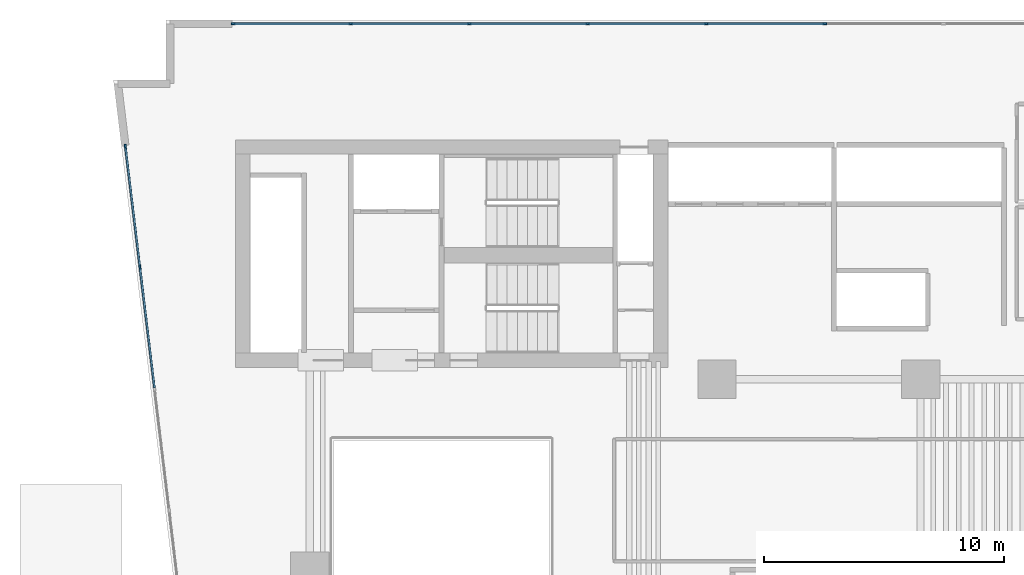
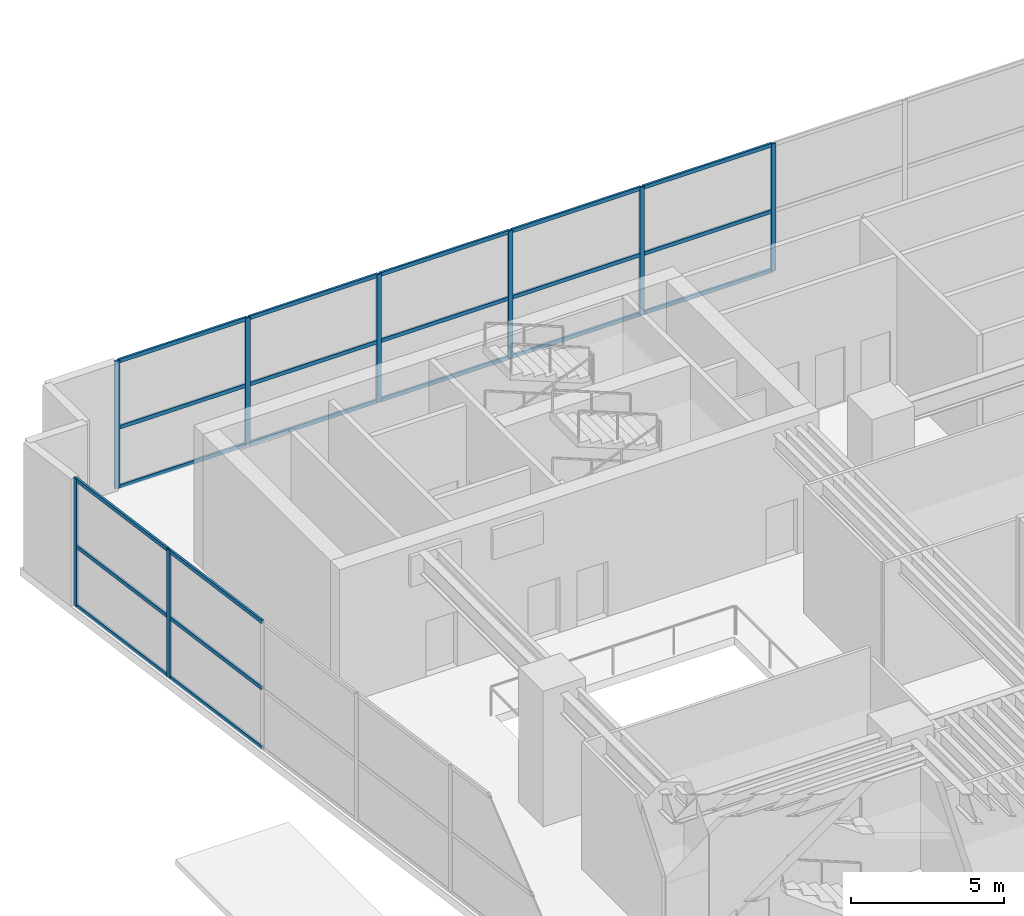
# One storey, part 6 of 17: 29 members, 2 elements without a shape of their own.
"""IFC4 building model written with IfcOpenShell, lengths in metres."""

from ifc_helpers import new_model, si_unit, direction, frame, origin, origin_2d, place, context, subcontext, project, spatial, rectangle, extrude, material, layer, layer_set, material_profile, profile_set, type_object, element, aggregate, save


model = new_model("IFC4")

# Units and contexts
model_context = context("Model", 3, precision=1e-05, world=origin(), true_north=direction((0.0, 1.0)))
body_context = subcontext(model_context, "Body", "Model", "MODEL_VIEW")
ifc_project = project(units=[si_unit("LENGTHUNIT", "METRE"), si_unit("AREAUNIT", "SQUARE_METRE"), si_unit("VOLUMEUNIT", "CUBIC_METRE"), si_unit("PLANEANGLEUNIT", "RADIAN"), si_unit("MASSUNIT", "GRAM", prefix="KILO")], contexts=[model_context])

# Site, building, storey
site_placement = place(None, origin())
site = spatial("IfcSite", under=ifc_project, at=site_placement, CompositionType="ELEMENT")
building_placement = place(site_placement, origin())
building = spatial("IfcBuilding", under=site, at=building_placement, Name="Caeloran Harvest Quay", CompositionType="ELEMENT")
storey_placement = place(building_placement, frame((0.0, 0.0, 5.39990234375)))
storey = spatial("IfcBuildingStorey", under=building, at=storey_placement, Name="L02", CompositionType="ELEMENT", Elevation=5.39990234375)

# Curtain wall, members
ifc_material_1 = material(Name="Aluminium 6063-T6 and Low-E Glazing", Category="aluminium")
ifc_layer = layer(ifc_material_1, 0.179931640625, Name="Aluminium 6063-T6 and Low-E Glazing")
ifc_layer_set = layer_set([ifc_layer], Name="Aluminium 6063-T6 and Low-E Glazing")
curtain_wall_type = type_object("IfcCurtainWallType", Name="CW-SYS-CW-1", PredefinedType="USERDEFINED", material=ifc_layer_set)
curtain_wall_1_placement = place(storey_placement, origin())
curtain_wall_1 = element("IfcCurtainWall", 1, at=curtain_wall_1_placement, inside=storey, type_object=curtain_wall_type, Name="L02 Unitised Curtain Wall CW-1 Run 3", ObjectType="CURTAIN_WALL", PredefinedType="USERDEFINED")
ifc_material_2 = material(Name="Aluminium 6063-T6", Category="aluminium")
ifc_material_profile_1 = material_profile(ifc_material_2, rectangle(XDim=0.080078125, YDim=0.179931640625, at=origin_2d()), Name="CW-MULLION-180")
ifc_profile_set_1 = profile_set([ifc_material_profile_1], Name="Aluminium 6063-T6")
member_type_1 = type_object("IfcMemberType", Name="CW-MULLION-180", PredefinedType="MULLION", material=ifc_profile_set_1)
member_1_placement = place(storey_placement, frame((1.404296875, 35.684814453125, 0.0), z_axis=(0.0, 0.0, 1.0), x_axis=(-0.992815161093, -0.119658079138, 0.0)))
member_1 = element("IfcMember", 2, at=member_1_placement, type_object=member_type_1, Name="CW-1 mullion 7", PredefinedType="MULLION", context=body_context, shape_type="SweptSolid", body=[
    extrude(rectangle(XDim=0.080078125, YDim=0.179931640625, at=origin_2d()), origin(), (0.0, 0.0, 1.0), 5.080078125),
])
member_2_placement = place(storey_placement, frame((0.797607421875, 40.718994140625, 0.0), z_axis=(0.0, 0.0, 1.0), x_axis=(-0.992815161093, -0.119658079138, 0.0)))
member_2 = element("IfcMember", 3, at=member_2_placement, type_object=member_type_1, Name="CW-1 mullion 8", PredefinedType="MULLION", context=body_context, shape_type="SweptSolid", body=[
    extrude(rectangle(XDim=0.080078125, YDim=0.179931640625, at=origin_2d()), origin(), (0.0, 0.0, 1.0), 5.080078125),
])

curtain_wall_2_placement = place(storey_placement, origin())
curtain_wall_2 = element("IfcCurtainWall", 4, at=curtain_wall_2_placement, inside=storey, type_object=curtain_wall_type, Name="L02 Unitised Curtain Wall CW-1 Run 6", ObjectType="CURTAIN_WALL", PredefinedType="USERDEFINED")
member_3_placement = place(storey_placement, frame((5.300048828125, 45.840087890625, 0.0), z_axis=(0.0, 0.0, 1.0), x_axis=(0.0, 1.0, 0.0)))
member_3 = element("IfcMember", 5, at=member_3_placement, type_object=member_type_1, Name="CW-1 mullion 1", PredefinedType="MULLION", context=body_context, shape_type="SweptSolid", body=[
    extrude(rectangle(XDim=0.080078125, YDim=0.179931640625, at=origin_2d()), origin(), (0.0, 0.0, 1.0), 5.080078125),
])
member_4_placement = place(storey_placement, frame((10.2080078125, 45.840087890625, 0.0), z_axis=(0.0, 0.0, 1.0), x_axis=(0.0, 1.0, 0.0)))
member_4 = element("IfcMember", 6, at=member_4_placement, type_object=member_type_1, Name="CW-1 mullion 2", PredefinedType="MULLION", context=body_context, shape_type="SweptSolid", body=[
    extrude(rectangle(XDim=0.080078125, YDim=0.179931640625, at=origin_2d()), origin(), (0.0, 0.0, 1.0), 5.080078125),
])
member_5_placement = place(storey_placement, frame((15.156005859375, 45.840087890625, 0.0), z_axis=(0.0, 0.0, 1.0), x_axis=(0.0, 1.0, 0.0)))
member_5 = element("IfcMember", 7, at=member_5_placement, type_object=member_type_1, Name="CW-1 mullion 3", PredefinedType="MULLION", context=body_context, shape_type="SweptSolid", body=[
    extrude(rectangle(XDim=0.080078125, YDim=0.179931640625, at=origin_2d()), origin(), (0.0, 0.0, 1.0), 5.080078125),
])
member_6_placement = place(storey_placement, frame((20.10400390625, 45.840087890625, 0.0), z_axis=(0.0, 0.0, 1.0), x_axis=(0.0, 1.0, 0.0)))
member_6 = element("IfcMember", 8, at=member_6_placement, type_object=member_type_1, Name="CW-1 mullion 4", PredefinedType="MULLION", context=body_context, shape_type="SweptSolid", body=[
    extrude(rectangle(XDim=0.080078125, YDim=0.179931640625, at=origin_2d()), origin(), (0.0, 0.0, 1.0), 5.080078125),
])
member_7_placement = place(storey_placement, frame((25.052001953125, 45.840087890625, 0.0), z_axis=(0.0, 0.0, 1.0), x_axis=(0.0, 1.0, 0.0)))
member_7 = element("IfcMember", 9, at=member_7_placement, type_object=member_type_1, Name="CW-1 mullion 5", PredefinedType="MULLION", context=body_context, shape_type="SweptSolid", body=[
    extrude(rectangle(XDim=0.080078125, YDim=0.179931640625, at=origin_2d()), origin(), (0.0, 0.0, 1.0), 5.080078125),
])
member_8_placement = place(storey_placement, frame((30.0, 45.840087890625, 0.0), z_axis=(0.0, 0.0, 1.0), x_axis=(0.0, 1.0, 0.0)))
member_8 = element("IfcMember", 10, at=member_8_placement, type_object=member_type_1, Name="CW-1 mullion 6", PredefinedType="MULLION", context=body_context, shape_type="SweptSolid", body=[
    extrude(rectangle(XDim=0.080078125, YDim=0.179931640625, at=origin_2d()), origin(), (0.0, 0.0, 1.0), 5.080078125),
])

# Member
ifc_material_profile_2 = material_profile(ifc_material_2, rectangle(XDim=0.080078125, YDim=0.14990234375, at=origin_2d()), Name="CW-TRANSOM-150")
ifc_profile_set_2 = profile_set([ifc_material_profile_2], Name="Aluminium 6063-T6")
member_type_2 = type_object("IfcMemberType", Name="CW-TRANSOM-150", PredefinedType="USERDEFINED", material=ifc_profile_set_2)
member_9_placement = place(storey_placement, frame((2.010986328125, 30.650634765625, 0.0400390625), z_axis=(-0.119631291469, 0.992818389284, 0.0), x_axis=(-0.992818389284, -0.119631291469, 0.0)))
member_9 = element("IfcMember", 11, at=member_9_placement, type_object=member_type_2, Name="CW-1 transom 6.1", ObjectType="TRANSOM", PredefinedType="USERDEFINED", context=body_context, shape_type="SweptSolid", body=[
    extrude(rectangle(XDim=0.080078125, YDim=0.14990234375, at=origin_2d()), origin(), (0.0, 0.0, 1.0), 5.030517578125),
])

member_10_placement = place(storey_placement, frame((2.010986328125, 30.650634765625, 2.400146484375), z_axis=(-0.119631291469, 0.992818389284, 0.0), x_axis=(-0.992818389284, -0.119631291469, 0.0)))
member_10 = element("IfcMember", 12, at=member_10_placement, type_object=member_type_2, Name="CW-1 transom 6.2", ObjectType="TRANSOM", PredefinedType="USERDEFINED", context=body_context, shape_type="SweptSolid", body=[
    extrude(rectangle(XDim=0.080078125, YDim=0.14990234375, at=origin_2d()), origin(), (0.0, 0.0, 1.0), 5.030517578125),
])

member_11_placement = place(storey_placement, frame((2.010986328125, 30.650634765625, 5.0400390625), z_axis=(-0.119631291469, 0.992818389284, 0.0), x_axis=(-0.992818389284, -0.119631291469, 0.0)))
member_11 = element("IfcMember", 13, at=member_11_placement, type_object=member_type_2, Name="CW-1 transom 6.3", ObjectType="TRANSOM", PredefinedType="USERDEFINED", context=body_context, shape_type="SweptSolid", body=[
    extrude(rectangle(XDim=0.080078125, YDim=0.14990234375, at=origin_2d()), origin(), (0.0, 0.0, 1.0), 5.030517578125),
])

member_12_placement = place(storey_placement, frame((1.399658203125, 35.724609375, 0.0400390625), z_axis=(-0.119662199144, 0.992814664525, 0.0), x_axis=(-0.992814664525, -0.119662199144, 0.0)))
member_12 = element("IfcMember", 14, at=member_12_placement, type_object=member_type_2, Name="CW-1 transom 7.1", ObjectType="TRANSOM", PredefinedType="USERDEFINED", context=body_context, shape_type="SweptSolid", body=[
    extrude(rectangle(XDim=0.080078125, YDim=0.14990234375, at=origin_2d()), origin(), (0.0, 0.0, 1.0), 4.990478515625),
])

member_13_placement = place(storey_placement, frame((1.399658203125, 35.724609375, 2.400146484375), z_axis=(-0.119662199144, 0.992814664525, 0.0), x_axis=(-0.992814664525, -0.119662199144, 0.0)))
member_13 = element("IfcMember", 15, at=member_13_placement, type_object=member_type_2, Name="CW-1 transom 7.2", ObjectType="TRANSOM", PredefinedType="USERDEFINED", context=body_context, shape_type="SweptSolid", body=[
    extrude(rectangle(XDim=0.080078125, YDim=0.14990234375, at=origin_2d()), origin(), (0.0, 0.0, 1.0), 4.990478515625),
])

member_14_placement = place(storey_placement, frame((1.399658203125, 35.724609375, 5.0400390625), z_axis=(-0.119662199144, 0.992814664525, 0.0), x_axis=(-0.992814664525, -0.119662199144, 0.0)))
member_14 = element("IfcMember", 16, at=member_14_placement, type_object=member_type_2, Name="CW-1 transom 7.3", ObjectType="TRANSOM", PredefinedType="USERDEFINED", context=body_context, shape_type="SweptSolid", body=[
    extrude(rectangle(XDim=0.080078125, YDim=0.14990234375, at=origin_2d()), origin(), (0.0, 0.0, 1.0), 4.990478515625),
])

aggregate(curtain_wall_1, [member_1, member_2, member_9, member_10, member_11, member_12, member_13, member_14])

member_15_placement = place(storey_placement, frame((5.340087890625, 45.840087890625, 0.0400390625), z_axis=(1.0, 0.0, 0.0), x_axis=(0.0, 1.0, 0.0)))
member_15 = element("IfcMember", 17, at=member_15_placement, type_object=member_type_2, Name="CW-1 transom 1.1", ObjectType="TRANSOM", PredefinedType="USERDEFINED", context=body_context, shape_type="SweptSolid", body=[
    extrude(rectangle(XDim=0.080078125, YDim=0.14990234375, at=origin_2d()), origin(), (0.0, 0.0, 1.0), 4.827880859375),
])

member_16_placement = place(storey_placement, frame((5.340087890625, 45.840087890625, 2.400146484375), z_axis=(1.0, 0.0, 0.0), x_axis=(0.0, 1.0, 0.0)))
member_16 = element("IfcMember", 18, at=member_16_placement, type_object=member_type_2, Name="CW-1 transom 1.2", ObjectType="TRANSOM", PredefinedType="USERDEFINED", context=body_context, shape_type="SweptSolid", body=[
    extrude(rectangle(XDim=0.080078125, YDim=0.14990234375, at=origin_2d()), origin(), (0.0, 0.0, 1.0), 4.827880859375),
])

member_17_placement = place(storey_placement, frame((5.340087890625, 45.840087890625, 5.0400390625), z_axis=(1.0, 0.0, 0.0), x_axis=(0.0, 1.0, 0.0)))
member_17 = element("IfcMember", 19, at=member_17_placement, type_object=member_type_2, Name="CW-1 transom 1.3", ObjectType="TRANSOM", PredefinedType="USERDEFINED", context=body_context, shape_type="SweptSolid", body=[
    extrude(rectangle(XDim=0.080078125, YDim=0.14990234375, at=origin_2d()), origin(), (0.0, 0.0, 1.0), 4.827880859375),
])

member_18_placement = place(storey_placement, frame((10.248046875, 45.840087890625, 0.0400390625), z_axis=(1.0, 0.0, 0.0), x_axis=(0.0, 1.0, 0.0)))
member_18 = element("IfcMember", 20, at=member_18_placement, type_object=member_type_2, Name="CW-1 transom 2.1", ObjectType="TRANSOM", PredefinedType="USERDEFINED", context=body_context, shape_type="SweptSolid", body=[
    extrude(rectangle(XDim=0.080078125, YDim=0.14990234375, at=origin_2d()), origin(), (0.0, 0.0, 1.0), 4.867919921875),
])

member_19_placement = place(storey_placement, frame((10.248046875, 45.840087890625, 2.400146484375), z_axis=(1.0, 0.0, 0.0), x_axis=(0.0, 1.0, 0.0)))
member_19 = element("IfcMember", 21, at=member_19_placement, type_object=member_type_2, Name="CW-1 transom 2.2", ObjectType="TRANSOM", PredefinedType="USERDEFINED", context=body_context, shape_type="SweptSolid", body=[
    extrude(rectangle(XDim=0.080078125, YDim=0.14990234375, at=origin_2d()), origin(), (0.0, 0.0, 1.0), 4.867919921875),
])

member_20_placement = place(storey_placement, frame((10.248046875, 45.840087890625, 5.0400390625), z_axis=(1.0, 0.0, 0.0), x_axis=(0.0, 1.0, 0.0)))
member_20 = element("IfcMember", 22, at=member_20_placement, type_object=member_type_2, Name="CW-1 transom 2.3", ObjectType="TRANSOM", PredefinedType="USERDEFINED", context=body_context, shape_type="SweptSolid", body=[
    extrude(rectangle(XDim=0.080078125, YDim=0.14990234375, at=origin_2d()), origin(), (0.0, 0.0, 1.0), 4.867919921875),
])

member_21_placement = place(storey_placement, frame((15.196044921875, 45.840087890625, 0.0400390625), z_axis=(1.0, 0.0, 0.0), x_axis=(0.0, 1.0, 0.0)))
member_21 = element("IfcMember", 23, at=member_21_placement, type_object=member_type_2, Name="CW-1 transom 3.1", ObjectType="TRANSOM", PredefinedType="USERDEFINED", context=body_context, shape_type="SweptSolid", body=[
    extrude(rectangle(XDim=0.080078125, YDim=0.14990234375, at=origin_2d()), origin(), (0.0, 0.0, 1.0), 4.867919921875),
])

member_22_placement = place(storey_placement, frame((15.196044921875, 45.840087890625, 2.400146484375), z_axis=(1.0, 0.0, 0.0), x_axis=(0.0, 1.0, 0.0)))
member_22 = element("IfcMember", 24, at=member_22_placement, type_object=member_type_2, Name="CW-1 transom 3.2", ObjectType="TRANSOM", PredefinedType="USERDEFINED", context=body_context, shape_type="SweptSolid", body=[
    extrude(rectangle(XDim=0.080078125, YDim=0.14990234375, at=origin_2d()), origin(), (0.0, 0.0, 1.0), 4.867919921875),
])

member_23_placement = place(storey_placement, frame((15.196044921875, 45.840087890625, 5.0400390625), z_axis=(1.0, 0.0, 0.0), x_axis=(0.0, 1.0, 0.0)))
member_23 = element("IfcMember", 25, at=member_23_placement, type_object=member_type_2, Name="CW-1 transom 3.3", ObjectType="TRANSOM", PredefinedType="USERDEFINED", context=body_context, shape_type="SweptSolid", body=[
    extrude(rectangle(XDim=0.080078125, YDim=0.14990234375, at=origin_2d()), origin(), (0.0, 0.0, 1.0), 4.867919921875),
])

member_24_placement = place(storey_placement, frame((20.14404296875, 45.840087890625, 0.0400390625), z_axis=(1.0, 0.0, 0.0), x_axis=(0.0, 1.0, 0.0)))
member_24 = element("IfcMember", 26, at=member_24_placement, type_object=member_type_2, Name="CW-1 transom 4.1", ObjectType="TRANSOM", PredefinedType="USERDEFINED", context=body_context, shape_type="SweptSolid", body=[
    extrude(rectangle(XDim=0.080078125, YDim=0.14990234375, at=origin_2d()), origin(), (0.0, 0.0, 1.0), 4.867919921875),
])

member_25_placement = place(storey_placement, frame((20.14404296875, 45.840087890625, 2.400146484375), z_axis=(1.0, 0.0, 0.0), x_axis=(0.0, 1.0, 0.0)))
member_25 = element("IfcMember", 27, at=member_25_placement, type_object=member_type_2, Name="CW-1 transom 4.2", ObjectType="TRANSOM", PredefinedType="USERDEFINED", context=body_context, shape_type="SweptSolid", body=[
    extrude(rectangle(XDim=0.080078125, YDim=0.14990234375, at=origin_2d()), origin(), (0.0, 0.0, 1.0), 4.867919921875),
])

member_26_placement = place(storey_placement, frame((20.14404296875, 45.840087890625, 5.0400390625), z_axis=(1.0, 0.0, 0.0), x_axis=(0.0, 1.0, 0.0)))
member_26 = element("IfcMember", 28, at=member_26_placement, type_object=member_type_2, Name="CW-1 transom 4.3", ObjectType="TRANSOM", PredefinedType="USERDEFINED", context=body_context, shape_type="SweptSolid", body=[
    extrude(rectangle(XDim=0.080078125, YDim=0.14990234375, at=origin_2d()), origin(), (0.0, 0.0, 1.0), 4.867919921875),
])

member_27_placement = place(storey_placement, frame((25.092041015625, 45.840087890625, 0.0400390625), z_axis=(1.0, 0.0, 0.0), x_axis=(0.0, 1.0, 0.0)))
member_27 = element("IfcMember", 29, at=member_27_placement, type_object=member_type_2, Name="CW-1 transom 5.1", ObjectType="TRANSOM", PredefinedType="USERDEFINED", context=body_context, shape_type="SweptSolid", body=[
    extrude(rectangle(XDim=0.080078125, YDim=0.14990234375, at=origin_2d()), origin(), (0.0, 0.0, 1.0), 4.867919921875),
])

member_28_placement = place(storey_placement, frame((25.092041015625, 45.840087890625, 2.400146484375), z_axis=(1.0, 0.0, 0.0), x_axis=(0.0, 1.0, 0.0)))
member_28 = element("IfcMember", 30, at=member_28_placement, type_object=member_type_2, Name="CW-1 transom 5.2", ObjectType="TRANSOM", PredefinedType="USERDEFINED", context=body_context, shape_type="SweptSolid", body=[
    extrude(rectangle(XDim=0.080078125, YDim=0.14990234375, at=origin_2d()), origin(), (0.0, 0.0, 1.0), 4.867919921875),
])

member_29_placement = place(storey_placement, frame((25.092041015625, 45.840087890625, 5.0400390625), z_axis=(1.0, 0.0, 0.0), x_axis=(0.0, 1.0, 0.0)))
member_29 = element("IfcMember", 31, at=member_29_placement, type_object=member_type_2, Name="CW-1 transom 5.3", ObjectType="TRANSOM", PredefinedType="USERDEFINED", context=body_context, shape_type="SweptSolid", body=[
    extrude(rectangle(XDim=0.080078125, YDim=0.14990234375, at=origin_2d()), origin(), (0.0, 0.0, 1.0), 4.867919921875),
])

aggregate(curtain_wall_2, [member_3, member_4, member_5, member_6, member_7, member_8, member_15, member_16, member_17, member_18, member_19, member_20, member_21, member_22, member_23, member_24, member_25, member_26, member_27, member_28, member_29])

save(model, "model.ifc")
